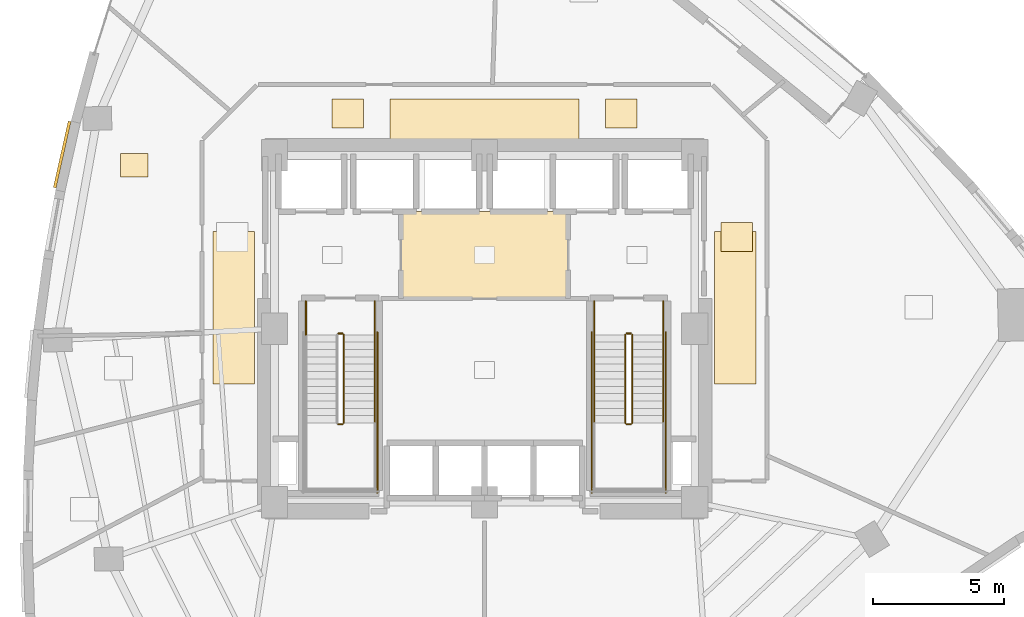
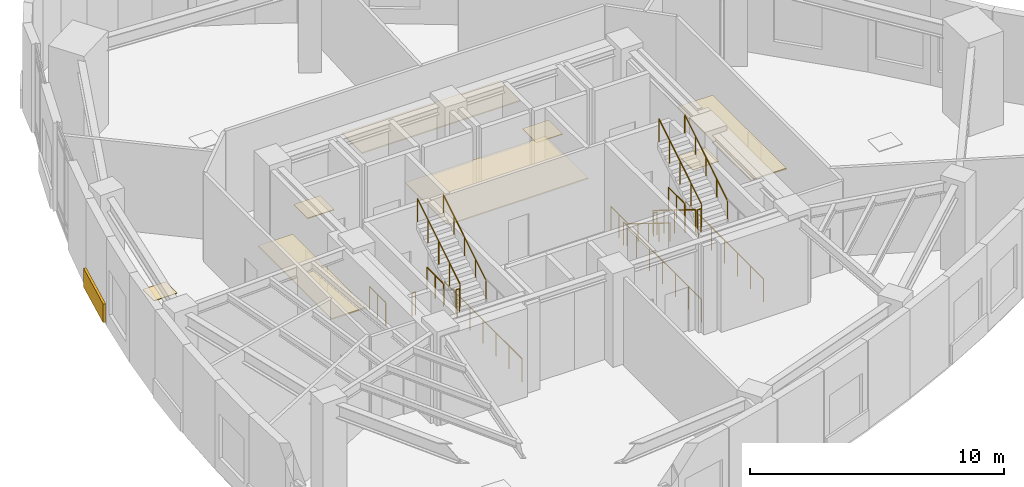
# One storey, part 15 of 16: 17 railings, 9 coverings.
"""IFC4 building model written with IfcOpenShell, lengths in metres."""

from ifc_helpers import new_model, si_unit, direction, frame, origin, origin_2d, place, context, subcontext, project, spatial, rectangle, circle, extrude, material, layer, layer_set, type_object, element, save


model = new_model("IFC4")

# Units and contexts
model_context = context("Model", 3, precision=1e-05, world=origin(), true_north=direction((0.0, 1.0)))
body_context = subcontext(model_context, "Body", "Model", "MODEL_VIEW")
ifc_project = project(units=[si_unit("LENGTHUNIT", "METRE"), si_unit("AREAUNIT", "SQUARE_METRE"), si_unit("VOLUMEUNIT", "CUBIC_METRE"), si_unit("PLANEANGLEUNIT", "RADIAN"), si_unit("MASSUNIT", "GRAM", prefix="KILO")], contexts=[model_context])

# Site, building, storey
site_placement = place(None, origin())
site = spatial("IfcSite", under=ifc_project, at=site_placement, CompositionType="ELEMENT")
building_placement = place(site_placement, origin())
building = spatial("IfcBuilding", under=site, at=building_placement, Name="Ndelora Gate Hotel", CompositionType="ELEMENT")
storey_placement = place(building_placement, frame((0.0, 0.0, 92.75)))
storey = spatial("IfcBuildingStorey", under=building, at=storey_placement, Name="L22", CompositionType="ELEMENT", Elevation=92.75)

# Coverings
ifc_material_1 = material(Name="Perforated Acoustic Gypsum Board", Category="gypsum")
ifc_layer_1 = layer(ifc_material_1, 0.054931640625)
ifc_layer_set_1 = layer_set([ifc_layer_1], Name="Perforated Acoustic Gypsum Board")
covering_type_1 = type_object("IfcCoveringType", Name="COV-CEIL-AC60", PredefinedType="CEILING", material=ifc_layer_set_1)
covering_1_placement = place(storey_placement, frame((0.0, 2.800048828125, 2.72265625), z_axis=(0.0, 0.0, 1.0), x_axis=(1.0, 0.0, 0.0)))
element("IfcCovering", 1, at=covering_1_placement, inside=storey, type_object=covering_type_1, Name="L22 Lift Lobby Acoustic Ceiling", PredefinedType="CEILING", context=body_context, shape_type="SweptSolid", body=[
    extrude(rectangle(XDim=6.39990234375, YDim=3.340087890625, at=origin_2d()), origin(), (0.0, 0.0, 1.0), 0.054931640625),
])
covering_2_placement = place(storey_placement, frame((0.0, 7.9599609375, 2.65234375), z_axis=(0.0, 0.0, 1.0), x_axis=(1.0, 0.0, 0.0)))
element("IfcCovering", 2, at=covering_2_placement, inside=storey, type_object=covering_type_1, Name="L22 Guest Corridor Acoustic Ceiling N", PredefinedType="CEILING", context=body_context, shape_type="SweptSolid", body=[
    extrude(rectangle(XDim=7.199951171875, YDim=1.580078125, at=origin_2d()), origin(), (0.0, 0.0, 1.0), 0.054931640625),
])
for number, where, z_axis, x_axis, name in (
    (3, (-9.550048828125, 0.800048828125, 2.65234375), (0.0, 0.0, 1.0), (1.0, 0.0, 0.0), "L22 Guest Corridor Acoustic Ceiling W"),
    (4, (9.550048828125, 0.800048828125, 2.65234375), (0.0, 0.0, 1.0), (1.0, 0.0, 0.0), "L22 Guest Corridor Acoustic Ceiling E"),
):
    element("IfcCovering", number, at=place(storey_placement, frame(where, z_axis=z_axis, x_axis=x_axis)), inside=storey, type_object=covering_type_1, Name=name, PredefinedType="CEILING", context=body_context, shape_type="SweptSolid", body=[
        extrude(rectangle(XDim=1.580078125, YDim=5.800048828125, at=origin_2d()), origin(), (0.0, 0.0, 1.0), 0.054931640625),
    ])
ifc_material_2 = material(Name="Terracotta Fired Clay Brick Slip Cladding", Category="masonry")
ifc_layer_2 = layer(ifc_material_2, 0.110107421875)
ifc_layer_set_2 = layer_set([ifc_layer_2], Name="Terracotta Fired Clay Brick Slip Cladding")
covering_type_2 = type_object("IfcCoveringType", Name="COV-CLAD-BRK", PredefinedType="CLADDING", material=ifc_layer_set_2)
covering_3_placement = place(storey_placement, frame((-16.08154296875, 6.630615234375, 0.10009765625), z_axis=(0.0, 0.0, 1.0), x_axis=(0.218994806262, 0.975726024471, 0.0)))
element("IfcCovering", 5, at=covering_3_placement, inside=storey, type_object=covering_type_2, Name="L22 Rounded-Corner Brick Cladding Band 13", PredefinedType="CLADDING", context=body_context, shape_type="SweptSolid", body=[
    extrude(rectangle(XDim=2.583984375, YDim=0.110107421875, at=origin_2d()), origin(), (0.0, 0.0, 1.0), 0.89990234375),
])
ifc_material_3 = material(Name="Engineered Highland Oak Parquet", Category="wood")
ifc_layer_3 = layer(ifc_material_3, 0.030029296875)
ifc_layer_set_3 = layer_set([ifc_layer_3], Name="Engineered Highland Oak Parquet")
covering_type_3 = type_object("IfcCoveringType", Name="COV-FLR-PARQ", PredefinedType="FLOORING", material=ifc_layer_set_3)
covering_4_placement = place(storey_placement, frame((-13.340576171875, 6.23095703125, 0.0), z_axis=(0.0, 0.0, 1.0), x_axis=(1.0, 0.0, 0.0)))
element("IfcCovering", 6, at=covering_4_placement, inside=storey, type_object=covering_type_3, Name="L22 Spa Changing Shower Room Oak Parquet Flooring", PredefinedType="FLOORING", context=body_context, shape_type="SweptSolid", body=[
    extrude(rectangle(XDim=1.050048828125, YDim=0.89990234375, at=origin_2d()), origin(), (0.0, 0.0, 1.0), 0.030029296875),
])
ifc_material_4 = material(Name="Polished Highland Stone Terrazzo", Category="masonry")
ifc_layer_4 = layer(ifc_material_4, 0.034912109375)
ifc_layer_set_4 = layer_set([ifc_layer_4], Name="Polished Highland Stone Terrazzo")
covering_type_4 = type_object("IfcCoveringType", Name="COV-FLR-TERZ", PredefinedType="FLOORING", material=ifc_layer_set_4)
for number, where, z_axis, x_axis, name in (
    (7, (-5.199951171875, 8.199951171875, 0.0), (0.0, 0.0, 1.0), (1.0, 0.0, 0.0), "L22 Corridor Threshold Terrazzo Inlay NW"),
    (8, (5.199951171875, 8.199951171875, 0.0), (0.0, 0.0, 1.0), (1.0, 0.0, 0.0), "L22 Corridor Threshold Terrazzo Inlay NE"),
    (9, (9.60009765625, 3.5, 0.0), (0.0, 0.0, 1.0), (1.0, 0.0, 0.0), "L22 Corridor Threshold Terrazzo Inlay E"),
):
    element("IfcCovering", number, at=place(storey_placement, frame(where, z_axis=z_axis, x_axis=x_axis)), inside=storey, type_object=covering_type_4, Name=name, PredefinedType="FLOORING", context=body_context, shape_type="SweptSolid", body=[
        extrude(rectangle(XDim=1.199951171875, YDim=1.10009765625, at=origin_2d()), origin(), (0.0, 0.0, 1.0), 0.034912109375),
    ])

# Railings
ifc_material_5 = material(Name="Painted Galvanized Steel Balustrade", Category="steel")
ifc_layer_5 = layer(ifc_material_5, 0.06005859375)
ifc_layer_set_5 = layer_set([ifc_layer_5], Name="Painted Galvanized Steel Balustrade")
railing_type_1 = type_object("IfcRailingType", Name="RL-STAIR-GD", PredefinedType="GUARDRAIL", material=ifc_layer_set_5)
railing_1_placement = place(storey_placement, frame((-5.570068359375, -3.639892578125, 2.25)))
element("IfcRailing", 10, at=railing_1_placement, inside=storey, type_object=railing_type_1, Name="L22 ST4 stair guard 2", PredefinedType="GUARDRAIL", context=body_context, shape_type="SweptSolid", body=[
    extrude(circle(Radius=0.02392578125, at=origin_2d()), frame((0.0, 0.0, 1.10595703125), z_axis=(1.0, 0.0, 0.0), x_axis=(0.0, 1.0, 0.0)), (0.0, 0.0, 1.0), 0.16015625),
    extrude(circle(Radius=0.02099609375, at=origin_2d()), origin(), (0.0, 0.0, 1.0), 1.081787109375),
    extrude(circle(Radius=0.02099609375, at=origin_2d()), frame((0.16015625, 0.0, 0.0)), (0.0, 0.0, 1.0), 1.081787109375),
])
railing_2_placement = place(storey_placement, frame((-5.360107421875, -3.590087890625, 2.423095703125)))
element("IfcRailing", 11, at=railing_2_placement, inside=storey, type_object=railing_type_1, Name="L22 ST4 stair guard 6", PredefinedType="GUARDRAIL", context=body_context, shape_type="SweptSolid", body=[
    extrude(circle(Radius=0.02392578125, at=origin_2d()), frame((0.0, 0.0, 1.10595703125), z_axis=(0.0, 0.850623216509, 0.525775754039), x_axis=(-1.0, 0.0, 0.0)), (0.0, 0.0, 1.0), 3.9501953125),
    extrude(circle(Radius=0.02099609375, at=origin_2d()), origin(), (0.0, 0.0, 1.0), 1.081787109375),
    extrude(circle(Radius=0.02099609375, at=origin_2d()), frame((0.0, 0.840087890625, 0.519287109375)), (0.0, 0.0, 1.0), 1.081787109375),
    extrude(circle(Radius=0.02099609375, at=origin_2d()), frame((0.0, 1.68017578125, 1.03857421875)), (0.0, 0.0, 1.0), 1.081787109375),
    extrude(circle(Radius=0.02099609375, at=origin_2d()), frame((0.0, 2.52001953125, 1.5576171875)), (0.0, 0.0, 1.0), 1.081787109375),
    extrude(circle(Radius=0.02099609375, at=origin_2d()), frame((0.0, 3.360107421875, 2.076904296875)), (0.0, 0.0, 1.0), 1.081787109375),
])
railing_3_placement = place(storey_placement, frame((-5.570068359375, -0.179931640625, 0.0)))
element("IfcRailing", 12, at=railing_3_placement, inside=storey, type_object=railing_type_1, Name="L22 ST4 stair guard 7", PredefinedType="GUARDRAIL", context=body_context, shape_type="SweptSolid", body=[
    extrude(circle(Radius=0.02392578125, at=origin_2d()), frame((0.0, 0.0, 1.10595703125), z_axis=(1.0, 0.0, 0.0), x_axis=(0.0, 1.0, 0.0)), (0.0, 0.0, 1.0), 0.16015625),
    extrude(circle(Radius=0.02099609375, at=origin_2d()), origin(), (0.0, 0.0, 1.0), 1.081787109375),
    extrude(circle(Radius=0.02099609375, at=origin_2d()), frame((0.16015625, 0.0, 0.0)), (0.0, 0.0, 1.0), 1.081787109375),
])
for number, where, name in (
    (13, (-6.800048828125, 1.050048828125, 0.0), "L22 ST4 stair guard 8"),
    (14, (-4.179931640625, 1.050048828125, 0.0), "L22 ST4 stair guard 9"),
):
    element("IfcRailing", number, at=place(storey_placement, frame(where)), inside=storey, type_object=railing_type_1, Name=name, PredefinedType="GUARDRAIL", context=body_context, shape_type="SweptSolid", body=[
        extrude(circle(Radius=0.02392578125, at=origin_2d()), frame((0.0, 0.0, 1.10595703125), z_axis=(0.0, -1.0, 0.0), x_axis=(1.0, 0.0, 0.0)), (0.0, 0.0, 1.0), 1.280029296875),
        extrude(circle(Radius=0.02099609375, at=origin_2d()), origin(), (0.0, 0.0, 1.0), 1.081787109375),
        extrude(circle(Radius=0.02099609375, at=origin_2d()), frame((0.0, -0.64013671875, 0.0)), (0.0, 0.0, 1.0), 1.081787109375),
        extrude(circle(Radius=0.02099609375, at=origin_2d()), frame((0.0, -1.280029296875, 0.0)), (0.0, 0.0, 1.0), 1.081787109375),
    ])
railing_4_placement = place(storey_placement, frame((-4.080078125, -0.1298828125, 0.0)))
element("IfcRailing", 15, at=railing_4_placement, inside=storey, type_object=railing_type_1, Name="L22 ST4 stair guard 11", PredefinedType="GUARDRAIL", context=body_context, shape_type="SweptSolid", body=[
    extrude(circle(Radius=0.02392578125, at=origin_2d()), frame((0.0, 0.0, 1.10595703125), z_axis=(0.0, -1.0, 0.0), x_axis=(1.0, 0.0, 0.0)), (0.0, 0.0, 1.0), 6.1201171875),
    extrude(circle(Radius=0.02099609375, at=origin_2d()), origin(), (0.0, 0.0, 1.0), 1.081787109375),
    extrude(circle(Radius=0.02099609375, at=origin_2d()), frame((0.0, -1.02001953125, 0.0)), (0.0, 0.0, 1.0), 1.081787109375),
    extrude(circle(Radius=0.02099609375, at=origin_2d()), frame((0.0, -2.0400390625, 0.0)), (0.0, 0.0, 1.0), 1.081787109375),
    extrude(circle(Radius=0.02099609375, at=origin_2d()), frame((0.0, -3.06005859375, 0.0)), (0.0, 0.0, 1.0), 1.081787109375),
    extrude(circle(Radius=0.02099609375, at=origin_2d()), frame((0.0, -4.080078125, 0.0)), (0.0, 0.0, 1.0), 1.081787109375),
    extrude(circle(Radius=0.02099609375, at=origin_2d()), frame((0.0, -5.10009765625, 0.0)), (0.0, 0.0, 1.0), 1.081787109375),
    extrude(circle(Radius=0.02099609375, at=origin_2d()), frame((0.0, -6.1201171875, 0.0)), (0.0, 0.0, 1.0), 1.081787109375),
])
railing_5_placement = place(storey_placement, frame((5.360107421875, -0.22998046875, 0.173095703125)))
element("IfcRailing", 16, at=railing_5_placement, inside=storey, type_object=railing_type_1, Name="L22 ST5 stair guard 1", PredefinedType="GUARDRAIL", context=body_context, shape_type="SweptSolid", body=[
    extrude(circle(Radius=0.02392578125, at=origin_2d()), frame((0.0, 0.0, 1.10595703125), z_axis=(0.0, -0.850623216509, 0.525775754039), x_axis=(1.0, 0.0, 0.0)), (0.0, 0.0, 1.0), 3.9501953125),
    extrude(circle(Radius=0.02099609375, at=origin_2d()), origin(), (0.0, 0.0, 1.0), 1.081787109375),
    extrude(circle(Radius=0.02099609375, at=origin_2d()), frame((0.0, -0.840087890625, 0.519287109375)), (0.0, 0.0, 1.0), 1.081787109375),
    extrude(circle(Radius=0.02099609375, at=origin_2d()), frame((0.0, -1.68017578125, 1.03857421875)), (0.0, 0.0, 1.0), 1.081787109375),
    extrude(circle(Radius=0.02099609375, at=origin_2d()), frame((0.0, -2.52001953125, 1.5576171875)), (0.0, 0.0, 1.0), 1.081787109375),
    extrude(circle(Radius=0.02099609375, at=origin_2d()), frame((0.0, -3.360107421875, 2.076904296875)), (0.0, 0.0, 1.0), 1.081787109375),
])
railing_6_placement = place(storey_placement, frame((5.409912109375, -3.639892578125, 2.25)))
element("IfcRailing", 17, at=railing_6_placement, inside=storey, type_object=railing_type_1, Name="L22 ST5 stair guard 2", PredefinedType="GUARDRAIL", context=body_context, shape_type="SweptSolid", body=[
    extrude(circle(Radius=0.02392578125, at=origin_2d()), frame((0.0, 0.0, 1.10595703125), z_axis=(1.0, 0.0, 0.0), x_axis=(0.0, 1.0, 0.0)), (0.0, 0.0, 1.0), 0.16015625),
    extrude(circle(Radius=0.02099609375, at=origin_2d()), origin(), (0.0, 0.0, 1.0), 1.081787109375),
    extrude(circle(Radius=0.02099609375, at=origin_2d()), frame((0.16015625, 0.0, 0.0)), (0.0, 0.0, 1.0), 1.081787109375),
])
railing_7_placement = place(storey_placement, frame((5.6201171875, -3.590087890625, 2.423095703125)))
element("IfcRailing", 18, at=railing_7_placement, inside=storey, type_object=railing_type_1, Name="L22 ST5 stair guard 6", PredefinedType="GUARDRAIL", context=body_context, shape_type="SweptSolid", body=[
    extrude(circle(Radius=0.02392578125, at=origin_2d()), frame((0.0, 0.0, 1.10595703125), z_axis=(0.0, 0.850623216509, 0.525775754039), x_axis=(-1.0, 0.0, 0.0)), (0.0, 0.0, 1.0), 3.9501953125),
    extrude(circle(Radius=0.02099609375, at=origin_2d()), origin(), (0.0, 0.0, 1.0), 1.081787109375),
    extrude(circle(Radius=0.02099609375, at=origin_2d()), frame((0.0, 0.840087890625, 0.519287109375)), (0.0, 0.0, 1.0), 1.081787109375),
    extrude(circle(Radius=0.02099609375, at=origin_2d()), frame((0.0, 1.68017578125, 1.03857421875)), (0.0, 0.0, 1.0), 1.081787109375),
    extrude(circle(Radius=0.02099609375, at=origin_2d()), frame((0.0, 2.52001953125, 1.5576171875)), (0.0, 0.0, 1.0), 1.081787109375),
    extrude(circle(Radius=0.02099609375, at=origin_2d()), frame((0.0, 3.360107421875, 2.076904296875)), (0.0, 0.0, 1.0), 1.081787109375),
])
railing_8_placement = place(storey_placement, frame((5.409912109375, -0.179931640625, 0.0)))
element("IfcRailing", 19, at=railing_8_placement, inside=storey, type_object=railing_type_1, Name="L22 ST5 stair guard 7", PredefinedType="GUARDRAIL", context=body_context, shape_type="SweptSolid", body=[
    extrude(circle(Radius=0.02392578125, at=origin_2d()), frame((0.0, 0.0, 1.10595703125), z_axis=(1.0, 0.0, 0.0), x_axis=(0.0, 1.0, 0.0)), (0.0, 0.0, 1.0), 0.16015625),
    extrude(circle(Radius=0.02099609375, at=origin_2d()), origin(), (0.0, 0.0, 1.0), 1.081787109375),
    extrude(circle(Radius=0.02099609375, at=origin_2d()), frame((0.16015625, 0.0, 0.0)), (0.0, 0.0, 1.0), 1.081787109375),
])
for number, where, name in (
    (20, (4.179931640625, 1.050048828125, 0.0), "L22 ST5 stair guard 8"),
    (21, (6.800048828125, 1.050048828125, 0.0), "L22 ST5 stair guard 9"),
):
    element("IfcRailing", number, at=place(storey_placement, frame(where)), inside=storey, type_object=railing_type_1, Name=name, PredefinedType="GUARDRAIL", context=body_context, shape_type="SweptSolid", body=[
        extrude(circle(Radius=0.02392578125, at=origin_2d()), frame((0.0, 0.0, 1.10595703125), z_axis=(0.0, -1.0, 0.0), x_axis=(1.0, 0.0, 0.0)), (0.0, 0.0, 1.0), 1.280029296875),
        extrude(circle(Radius=0.02099609375, at=origin_2d()), origin(), (0.0, 0.0, 1.0), 1.081787109375),
        extrude(circle(Radius=0.02099609375, at=origin_2d()), frame((0.0, -0.64013671875, 0.0)), (0.0, 0.0, 1.0), 1.081787109375),
        extrude(circle(Radius=0.02099609375, at=origin_2d()), frame((0.0, -1.280029296875, 0.0)), (0.0, 0.0, 1.0), 1.081787109375),
    ])
for number, where, name in (
    (22, (4.080078125, -0.1298828125, 0.0), "L22 ST5 stair guard 10"),
    (23, (6.89990234375, -0.1298828125, 0.0), "L22 ST5 stair guard 11"),
):
    element("IfcRailing", number, at=place(storey_placement, frame(where)), inside=storey, type_object=railing_type_1, Name=name, PredefinedType="GUARDRAIL", context=body_context, shape_type="SweptSolid", body=[
        extrude(circle(Radius=0.02392578125, at=origin_2d()), frame((0.0, 0.0, 1.10595703125), z_axis=(0.0, -1.0, 0.0), x_axis=(1.0, 0.0, 0.0)), (0.0, 0.0, 1.0), 6.1201171875),
        extrude(circle(Radius=0.02099609375, at=origin_2d()), origin(), (0.0, 0.0, 1.0), 1.081787109375),
        extrude(circle(Radius=0.02099609375, at=origin_2d()), frame((0.0, -1.02001953125, 0.0)), (0.0, 0.0, 1.0), 1.081787109375),
        extrude(circle(Radius=0.02099609375, at=origin_2d()), frame((0.0, -2.0400390625, 0.0)), (0.0, 0.0, 1.0), 1.081787109375),
        extrude(circle(Radius=0.02099609375, at=origin_2d()), frame((0.0, -3.06005859375, 0.0)), (0.0, 0.0, 1.0), 1.081787109375),
        extrude(circle(Radius=0.02099609375, at=origin_2d()), frame((0.0, -4.080078125, 0.0)), (0.0, 0.0, 1.0), 1.081787109375),
        extrude(circle(Radius=0.02099609375, at=origin_2d()), frame((0.0, -5.10009765625, 0.0)), (0.0, 0.0, 1.0), 1.081787109375),
        extrude(circle(Radius=0.02099609375, at=origin_2d()), frame((0.0, -6.1201171875, 0.0)), (0.0, 0.0, 1.0), 1.081787109375),
    ])
ifc_material_6 = material(Name="Brushed Stainless Steel 316", Category="steel")
ifc_layer_6 = layer(ifc_material_6, 0.050048828125)
ifc_layer_set_6 = layer_set([ifc_layer_6], Name="Brushed Stainless Steel 316")
railing_type_2 = type_object("IfcRailingType", Name="RL-STAIR-HR", PredefinedType="HANDRAIL", material=ifc_layer_set_6)
railing_9_placement = place(storey_placement, frame((-4.179931640625, -3.590087890625, 2.423095703125)))
element("IfcRailing", 24, at=railing_9_placement, inside=storey, type_object=railing_type_2, Name="L22 ST4 stair handrail 2", PredefinedType="HANDRAIL", context=body_context, shape_type="SweptSolid", body=[
    extrude(circle(Radius=0.02392578125, at=origin_2d()), frame((0.0, 0.0, 0.8759765625), z_axis=(0.0, 0.850623216509, 0.525775754039), x_axis=(-1.0, 0.0, 0.0)), (0.0, 0.0, 1.0), 3.9501953125),
    extrude(circle(Radius=0.02099609375, at=origin_2d()), origin(), (0.0, 0.0, 1.0), 0.851806640625),
    extrude(circle(Radius=0.02099609375, at=origin_2d()), frame((0.0, 0.840087890625, 0.519287109375)), (0.0, 0.0, 1.0), 0.851806640625),
    extrude(circle(Radius=0.02099609375, at=origin_2d()), frame((0.0, 1.68017578125, 1.03857421875)), (0.0, 0.0, 1.0), 0.851806640625),
    extrude(circle(Radius=0.02099609375, at=origin_2d()), frame((0.0, 2.52001953125, 1.5576171875)), (0.0, 0.0, 1.0), 0.851806640625),
    extrude(circle(Radius=0.02099609375, at=origin_2d()), frame((0.0, 3.360107421875, 2.076904296875)), (0.0, 0.0, 1.0), 0.851806640625),
])
railing_10_placement = place(storey_placement, frame((4.179931640625, -0.22998046875, 0.173095703125)))
element("IfcRailing", 25, at=railing_10_placement, inside=storey, type_object=railing_type_2, Name="L22 ST5 stair handrail 1", PredefinedType="HANDRAIL", context=body_context, shape_type="SweptSolid", body=[
    extrude(circle(Radius=0.02392578125, at=origin_2d()), frame((0.0, 0.0, 0.8759765625), z_axis=(0.0, -0.850623216509, 0.525775754039), x_axis=(1.0, 0.0, 0.0)), (0.0, 0.0, 1.0), 3.9501953125),
    extrude(circle(Radius=0.02099609375, at=origin_2d()), origin(), (0.0, 0.0, 1.0), 0.851806640625),
    extrude(circle(Radius=0.02099609375, at=origin_2d()), frame((0.0, -0.840087890625, 0.519287109375)), (0.0, 0.0, 1.0), 0.851806640625),
    extrude(circle(Radius=0.02099609375, at=origin_2d()), frame((0.0, -1.68017578125, 1.03857421875)), (0.0, 0.0, 1.0), 0.851806640625),
    extrude(circle(Radius=0.02099609375, at=origin_2d()), frame((0.0, -2.52001953125, 1.5576171875)), (0.0, 0.0, 1.0), 0.851806640625),
    extrude(circle(Radius=0.02099609375, at=origin_2d()), frame((0.0, -3.360107421875, 2.076904296875)), (0.0, 0.0, 1.0), 0.851806640625),
])
railing_11_placement = place(storey_placement, frame((6.800048828125, -3.590087890625, 2.423095703125)))
element("IfcRailing", 26, at=railing_11_placement, inside=storey, type_object=railing_type_2, Name="L22 ST5 stair handrail 2", PredefinedType="HANDRAIL", context=body_context, shape_type="SweptSolid", body=[
    extrude(circle(Radius=0.02392578125, at=origin_2d()), frame((0.0, 0.0, 0.8759765625), z_axis=(0.0, 0.850623216509, 0.525775754039), x_axis=(-1.0, 0.0, 0.0)), (0.0, 0.0, 1.0), 3.9501953125),
    extrude(circle(Radius=0.02099609375, at=origin_2d()), origin(), (0.0, 0.0, 1.0), 0.851806640625),
    extrude(circle(Radius=0.02099609375, at=origin_2d()), frame((0.0, 0.840087890625, 0.519287109375)), (0.0, 0.0, 1.0), 0.851806640625),
    extrude(circle(Radius=0.02099609375, at=origin_2d()), frame((0.0, 1.68017578125, 1.03857421875)), (0.0, 0.0, 1.0), 0.851806640625),
    extrude(circle(Radius=0.02099609375, at=origin_2d()), frame((0.0, 2.52001953125, 1.5576171875)), (0.0, 0.0, 1.0), 0.851806640625),
    extrude(circle(Radius=0.02099609375, at=origin_2d()), frame((0.0, 3.360107421875, 2.076904296875)), (0.0, 0.0, 1.0), 0.851806640625),
])

save(model, "model.ifc")
